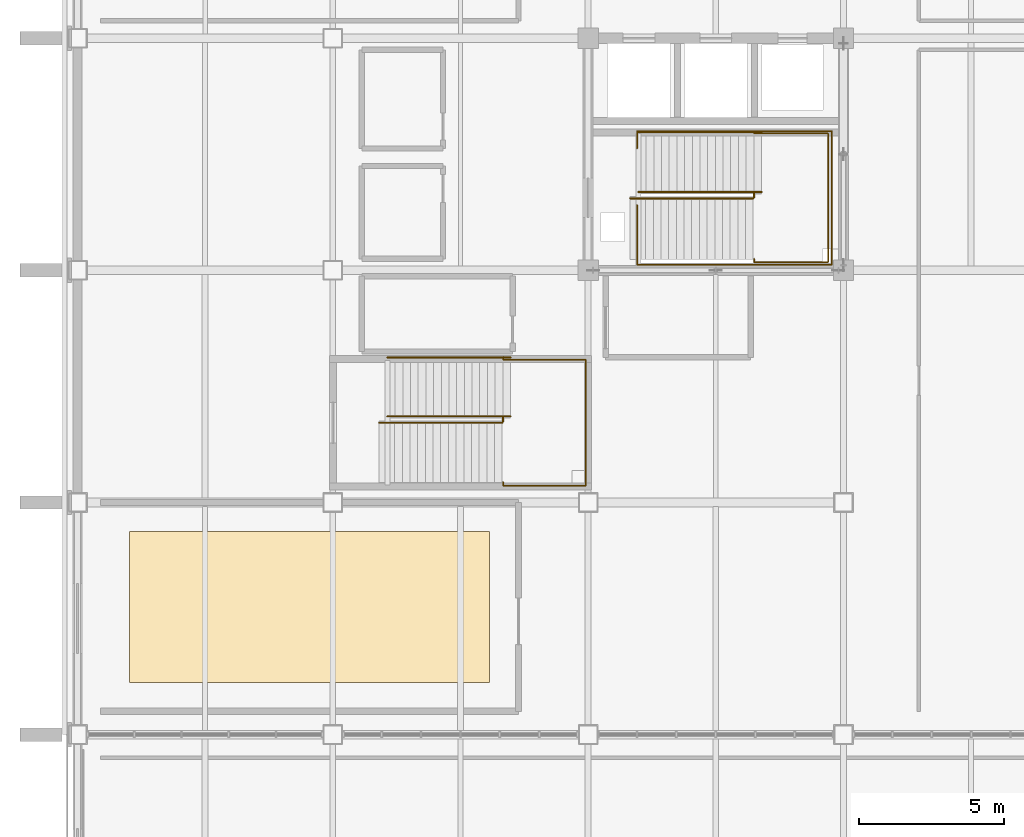
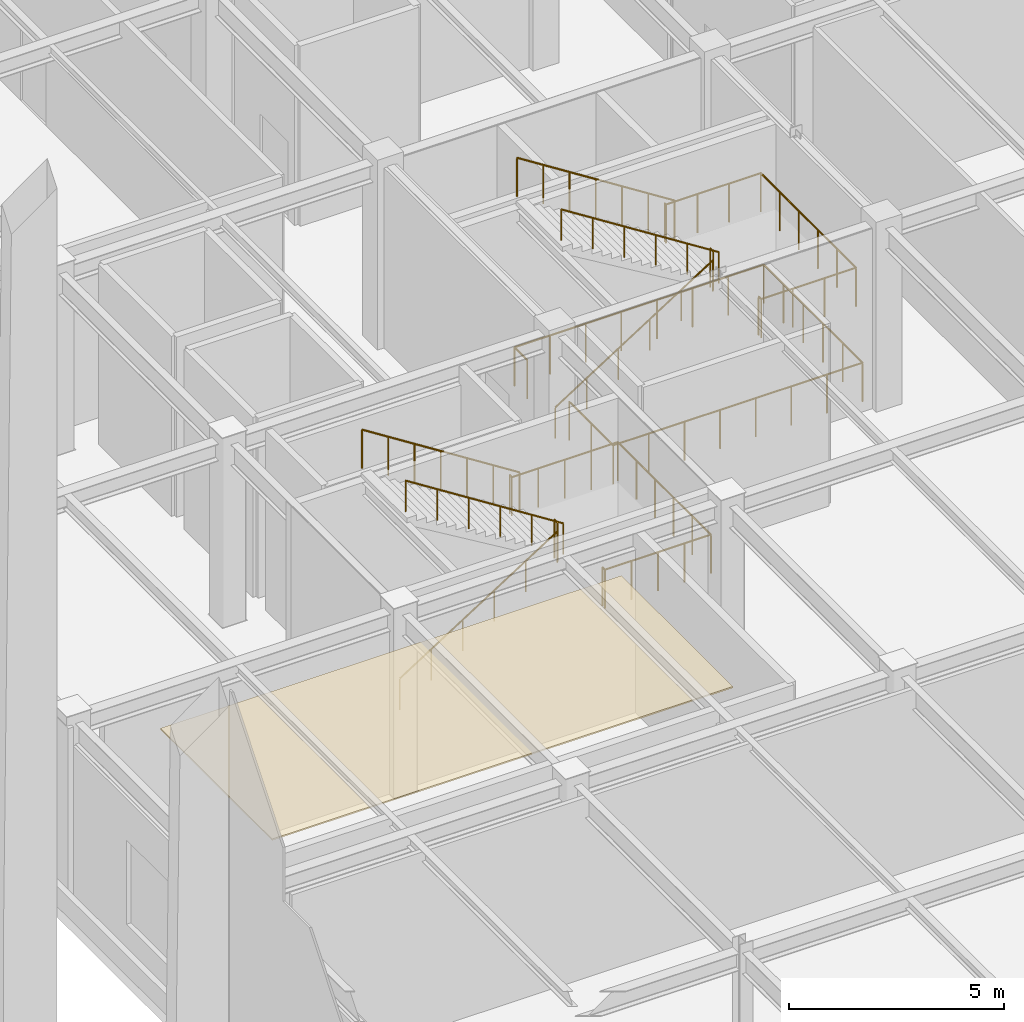
# One storey, part 103 of 119: 11 railings, 1 covering.
"""IFC4 building model written with IfcOpenShell, lengths in metres."""

from ifc_helpers import new_model, si_unit, direction, frame, origin, origin_2d, place, context, subcontext, project, spatial, rectangle, circle, extrude, material, layer, layer_set, type_object, element, save


model = new_model("IFC4")

# Units and contexts
model_context = context("Model", 3, precision=1e-05, world=origin(), true_north=direction((0.0, 1.0)))
body_context = subcontext(model_context, "Body", "Model", "MODEL_VIEW")
ifc_project = project(units=[si_unit("LENGTHUNIT", "METRE"), si_unit("AREAUNIT", "SQUARE_METRE"), si_unit("VOLUMEUNIT", "CUBIC_METRE"), si_unit("PLANEANGLEUNIT", "RADIAN"), si_unit("MASSUNIT", "GRAM", prefix="KILO")], contexts=[model_context])

# Site, building, storey
site_placement = place(None, origin())
site = spatial("IfcSite", under=ifc_project, at=site_placement, CompositionType="ELEMENT")
building_placement = place(site_placement, origin())
building = spatial("IfcBuilding", under=site, at=building_placement, Name="Zhaolan Boulevard Law Courts", CompositionType="ELEMENT")
storey_placement = place(building_placement, origin())
storey = spatial("IfcBuildingStorey", under=building, at=storey_placement, Name="L00", CompositionType="ELEMENT", Elevation=0.0)

# Covering
ifc_material_1 = material(Name="Perforated acoustic gypsum and timber-slat ceiling", Category="wood")
ifc_layer = layer(ifc_material_1, 0.0400390625)
ifc_layer_set = layer_set([ifc_layer])
covering_type = type_object("IfcCoveringType", Name="ACOUSTIC CEILING 40", PredefinedType="CEILING", material=ifc_layer_set)
covering_placement = place(storey_placement, frame((8.0, 34.39990234375, 4.7099609375), z_axis=(0.0, 0.0, 1.0), x_axis=(1.0, 0.0, 0.0)))
element("IfcCovering", 1, at=covering_placement, inside=storey, type_object=covering_type, Name="Acoustic Baffle Ceiling CLG-03", PredefinedType="CEILING", context=body_context, shape_type="SweptSolid", body=[
    extrude(rectangle(XDim=12.39990234375, YDim=5.199951171875, at=origin_2d()), origin(), (0.0, 0.0, 1.0), 0.0400390625),
])

# Railings
ifc_material_2 = material(Name="Brushed stainless steel tubular handrail", Category="steel")
railing_type_1 = type_object("IfcRailingType", Name="STAIR HANDRAIL 900", PredefinedType="HANDRAIL", material=ifc_material_2)
railing_1_placement = place(storey_placement, frame((19.050048828125, 48.47998046875, 0.0)))
element("IfcRailing", 2, at=railing_1_placement, inside=storey, type_object=railing_type_1, Name="Stair Handrail HR-ST01-L00-1", PredefinedType="HANDRAIL", context=body_context, shape_type="SweptSolid", body=[
    extrude(circle(Radius=0.0224609375, at=origin_2d()), frame((0.0, 0.0, 0.87744140625), z_axis=(0.843501457581, 0.0, 0.537126885437), x_axis=(0.0, 1.0, 0.0)), (0.0, 0.0, 1.0), 5.026611328125),
    extrude(circle(Radius=0.01904296875, at=origin_2d()), origin(), (0.0, 0.0, 1.0), 0.85498046875),
    extrude(circle(Radius=0.01904296875, at=origin_2d()), frame((0.847900390625, 0.0, 0.5400390625)), (0.0, 0.0, 1.0), 0.85498046875),
    extrude(circle(Radius=0.01904296875, at=origin_2d()), frame((1.696044921875, 0.0, 1.080078125)), (0.0, 0.0, 1.0), 0.85498046875),
    extrude(circle(Radius=0.01904296875, at=origin_2d()), frame((2.5439453125, 0.0, 1.619873046875)), (0.0, 0.0, 1.0), 0.85498046875),
    extrude(circle(Radius=0.01904296875, at=origin_2d()), frame((3.39208984375, 0.0, 2.159912109375)), (0.0, 0.0, 1.0), 0.85498046875),
    extrude(circle(Radius=0.01904296875, at=origin_2d()), frame((4.239990234375, 0.0, 2.699951171875)), (0.0, 0.0, 1.0), 0.85498046875),
])
railing_2_placement = place(storey_placement, frame((23.574951171875, 48.699951171875, 2.699951171875)))
element("IfcRailing", 3, at=railing_2_placement, inside=storey, type_object=railing_type_1, Name="Stair Handrail HR-ST01-L00-2", PredefinedType="HANDRAIL", context=body_context, shape_type="SweptSolid", body=[
    extrude(circle(Radius=0.0224609375, at=origin_2d()), frame((0.0, 0.0, 0.87744140625), z_axis=(-0.843501457581, 0.0, 0.537126885437), x_axis=(0.0, -1.0, 0.0)), (0.0, 0.0, 1.0), 5.026611328125),
    extrude(circle(Radius=0.01904296875, at=origin_2d()), origin(), (0.0, 0.0, 1.0), 0.85498046875),
    extrude(circle(Radius=0.01904296875, at=origin_2d()), frame((-0.847900390625, 0.0, 0.5400390625)), (0.0, 0.0, 1.0), 0.85498046875),
    extrude(circle(Radius=0.01904296875, at=origin_2d()), frame((-1.696044921875, 0.0, 1.080078125)), (0.0, 0.0, 1.0), 0.85498046875),
    extrude(circle(Radius=0.01904296875, at=origin_2d()), frame((-2.5439453125, 0.0, 1.619873046875)), (0.0, 0.0, 1.0), 0.85498046875),
    extrude(circle(Radius=0.01904296875, at=origin_2d()), frame((-3.39208984375, 0.0, 2.159912109375)), (0.0, 0.0, 1.0), 0.85498046875),
    extrude(circle(Radius=0.01904296875, at=origin_2d()), frame((-4.239990234375, 0.0, 2.699951171875)), (0.0, 0.0, 1.0), 0.85498046875),
])
railing_3_placement = place(storey_placement, frame((10.39990234375, 40.75, 0.0)))
element("IfcRailing", 4, at=railing_3_placement, inside=storey, type_object=railing_type_1, Name="Stair Handrail HR-ST03-L00-1", PredefinedType="HANDRAIL", context=body_context, shape_type="SweptSolid", body=[
    extrude(circle(Radius=0.0224609375, at=origin_2d()), frame((0.0, 0.0, 0.87744140625), z_axis=(0.843501457581, 0.0, 0.537126885437), x_axis=(0.0, 1.0, 0.0)), (0.0, 0.0, 1.0), 5.026611328125),
    extrude(circle(Radius=0.01904296875, at=origin_2d()), origin(), (0.0, 0.0, 1.0), 0.85498046875),
    extrude(circle(Radius=0.01904296875, at=origin_2d()), frame((0.847900390625, 0.0, 0.5400390625)), (0.0, 0.0, 1.0), 0.85498046875),
    extrude(circle(Radius=0.01904296875, at=origin_2d()), frame((1.696044921875, 0.0, 1.080078125)), (0.0, 0.0, 1.0), 0.85498046875),
    extrude(circle(Radius=0.01904296875, at=origin_2d()), frame((2.5439453125, 0.0, 1.619873046875)), (0.0, 0.0, 1.0), 0.85498046875),
    extrude(circle(Radius=0.01904296875, at=origin_2d()), frame((3.39208984375, 0.0, 2.159912109375)), (0.0, 0.0, 1.0), 0.85498046875),
    extrude(circle(Radius=0.01904296875, at=origin_2d()), frame((4.239990234375, 0.0, 2.699951171875)), (0.0, 0.0, 1.0), 0.85498046875),
])
railing_4_placement = place(storey_placement, frame((14.925048828125, 40.969970703125, 2.699951171875)))
element("IfcRailing", 5, at=railing_4_placement, inside=storey, type_object=railing_type_1, Name="Stair Handrail HR-ST03-L00-2", PredefinedType="HANDRAIL", context=body_context, shape_type="SweptSolid", body=[
    extrude(circle(Radius=0.0224609375, at=origin_2d()), frame((0.0, 0.0, 0.87744140625), z_axis=(-0.843501457581, 0.0, 0.537126885437), x_axis=(0.0, -1.0, 0.0)), (0.0, 0.0, 1.0), 5.026611328125),
    extrude(circle(Radius=0.01904296875, at=origin_2d()), origin(), (0.0, 0.0, 1.0), 0.85498046875),
    extrude(circle(Radius=0.01904296875, at=origin_2d()), frame((-0.847900390625, 0.0, 0.5400390625)), (0.0, 0.0, 1.0), 0.85498046875),
    extrude(circle(Radius=0.01904296875, at=origin_2d()), frame((-1.696044921875, 0.0, 1.080078125)), (0.0, 0.0, 1.0), 0.85498046875),
    extrude(circle(Radius=0.01904296875, at=origin_2d()), frame((-2.5439453125, 0.0, 1.619873046875)), (0.0, 0.0, 1.0), 0.85498046875),
    extrude(circle(Radius=0.01904296875, at=origin_2d()), frame((-3.39208984375, 0.0, 2.159912109375)), (0.0, 0.0, 1.0), 0.85498046875),
    extrude(circle(Radius=0.01904296875, at=origin_2d()), frame((-4.239990234375, 0.0, 2.699951171875)), (0.0, 0.0, 1.0), 0.85498046875),
])
ifc_material_3 = material(Name="Powder-coated steel baluster guardrail", Category="steel")
railing_type_2 = type_object("IfcRailingType", Name="STAIR WELL GUARDRAIL 1120", PredefinedType="GUARDRAIL", material=ifc_material_3)
railing_5_placement = place(storey_placement, frame((19.2900390625, 48.25, 0.0)))
element("IfcRailing", 6, at=railing_5_placement, inside=storey, type_object=railing_type_2, Name="Stair-Well Floor Guardrail WG-ST01-B1", PredefinedType="GUARDRAIL", context=body_context, shape_type="SweptSolid", body=[
    extrude(circle(Radius=0.02392578125, at=origin_2d()), frame((0.0, 0.0, 1.09619140625), z_axis=(0.0, -1.0, 0.0), x_axis=(1.0, 0.0, 0.0)), (0.0, 0.0, 1.0), 2.050048828125),
    extrude(circle(Radius=0.02392578125, at=origin_2d()), frame((0.0, -2.050048828125, 1.09619140625), z_axis=(1.0, 0.0, 0.0), x_axis=(0.0, 1.0, 0.0)), (0.0, 0.0, 1.0), 6.7099609375),
    extrude(circle(Radius=0.02392578125, at=origin_2d()), frame((6.7099609375, -2.050048828125, 1.09619140625), z_axis=(0.0, 1.0, 0.0), x_axis=(-1.0, 0.0, 0.0)), (0.0, 0.0, 1.0), 4.60009765625),
    extrude(circle(Radius=0.02392578125, at=origin_2d()), frame((6.7099609375, 2.550048828125, 1.09619140625), z_axis=(-1.0, 0.0, 0.0), x_axis=(0.0, -1.0, 0.0)), (0.0, 0.0, 1.0), 6.7099609375),
    extrude(circle(Radius=0.02392578125, at=origin_2d()), frame((0.0, 2.550048828125, 1.09619140625), z_axis=(0.0, -1.0, 0.0), x_axis=(1.0, 0.0, 0.0)), (0.0, 0.0, 1.0), 0.60009765625),
    extrude(circle(Radius=0.02099609375, at=origin_2d()), origin(), (0.0, 0.0, 1.0), 1.072021484375),
    extrude(circle(Radius=0.02099609375, at=origin_2d()), frame((0.0, -1.02490234375, 0.0)), (0.0, 0.0, 1.0), 1.072021484375),
    extrude(circle(Radius=0.02099609375, at=origin_2d()), frame((0.0, -2.050048828125, 0.0)), (0.0, 0.0, 1.0), 1.072021484375),
    extrude(circle(Radius=0.02099609375, at=origin_2d()), frame((0.95849609375, -2.050048828125, 0.0)), (0.0, 0.0, 1.0), 1.072021484375),
    extrude(circle(Radius=0.02099609375, at=origin_2d()), frame((1.917236328125, -2.050048828125, 0.0)), (0.0, 0.0, 1.0), 1.072021484375),
    extrude(circle(Radius=0.02099609375, at=origin_2d()), frame((2.875732421875, -2.050048828125, 0.0)), (0.0, 0.0, 1.0), 1.072021484375),
    extrude(circle(Radius=0.02099609375, at=origin_2d()), frame((3.834228515625, -2.050048828125, 0.0)), (0.0, 0.0, 1.0), 1.072021484375),
    extrude(circle(Radius=0.02099609375, at=origin_2d()), frame((4.792724609375, -2.050048828125, 0.0)), (0.0, 0.0, 1.0), 1.072021484375),
    extrude(circle(Radius=0.02099609375, at=origin_2d()), frame((5.75146484375, -2.050048828125, 0.0)), (0.0, 0.0, 1.0), 1.072021484375),
    extrude(circle(Radius=0.02099609375, at=origin_2d()), frame((6.7099609375, -2.050048828125, 0.0)), (0.0, 0.0, 1.0), 1.072021484375),
    extrude(circle(Radius=0.02099609375, at=origin_2d()), frame((6.7099609375, -1.130126953125, 0.0)), (0.0, 0.0, 1.0), 1.072021484375),
    extrude(circle(Radius=0.02099609375, at=origin_2d()), frame((6.7099609375, -0.2099609375, 0.0)), (0.0, 0.0, 1.0), 1.072021484375),
    extrude(circle(Radius=0.02099609375, at=origin_2d()), frame((6.7099609375, 0.7099609375, 0.0)), (0.0, 0.0, 1.0), 1.072021484375),
    extrude(circle(Radius=0.02099609375, at=origin_2d()), frame((6.7099609375, 1.630126953125, 0.0)), (0.0, 0.0, 1.0), 1.072021484375),
    extrude(circle(Radius=0.02099609375, at=origin_2d()), frame((6.7099609375, 2.550048828125, 0.0)), (0.0, 0.0, 1.0), 1.072021484375),
    extrude(circle(Radius=0.02099609375, at=origin_2d()), frame((5.75146484375, 2.550048828125, 0.0)), (0.0, 0.0, 1.0), 1.072021484375),
    extrude(circle(Radius=0.02099609375, at=origin_2d()), frame((4.792724609375, 2.550048828125, 0.0)), (0.0, 0.0, 1.0), 1.072021484375),
    extrude(circle(Radius=0.02099609375, at=origin_2d()), frame((3.834228515625, 2.550048828125, 0.0)), (0.0, 0.0, 1.0), 1.072021484375),
    extrude(circle(Radius=0.02099609375, at=origin_2d()), frame((2.875732421875, 2.550048828125, 0.0)), (0.0, 0.0, 1.0), 1.072021484375),
    extrude(circle(Radius=0.02099609375, at=origin_2d()), frame((1.917236328125, 2.550048828125, 0.0)), (0.0, 0.0, 1.0), 1.072021484375),
    extrude(circle(Radius=0.02099609375, at=origin_2d()), frame((0.95849609375, 2.550048828125, 0.0)), (0.0, 0.0, 1.0), 1.072021484375),
    extrude(circle(Radius=0.02099609375, at=origin_2d()), frame((0.0, 2.550048828125, 0.0)), (0.0, 0.0, 1.0), 1.072021484375),
    extrude(circle(Radius=0.02099609375, at=origin_2d()), frame((0.0, 1.949951171875, 0.0)), (0.0, 0.0, 1.0), 1.072021484375),
])
railing_6_placement = place(storey_placement, frame((23.320068359375, 46.39990234375, 2.699951171875)))
element("IfcRailing", 7, at=railing_6_placement, inside=storey, type_object=railing_type_2, Name="Half-Landing Guardrail SG-ST01-L00-M", PredefinedType="GUARDRAIL", context=body_context, shape_type="SweptSolid", body=[
    extrude(circle(Radius=0.02392578125, at=origin_2d()), frame((0.0, 0.0, 1.09619140625), z_axis=(0.0, -1.0, 0.0), x_axis=(1.0, 0.0, 0.0)), (0.0, 0.0, 1.0), 0.119873046875),
    extrude(circle(Radius=0.02392578125, at=origin_2d()), frame((0.0, -0.119873046875, 1.09619140625), z_axis=(1.0, 0.0, 0.0), x_axis=(0.0, 1.0, 0.0)), (0.0, 0.0, 1.0), 2.550048828125),
    extrude(circle(Radius=0.02392578125, at=origin_2d()), frame((2.550048828125, -0.119873046875, 1.09619140625), z_axis=(0.0, 1.0, 0.0), x_axis=(-1.0, 0.0, 0.0)), (0.0, 0.0, 1.0), 4.43994140625),
    extrude(circle(Radius=0.02392578125, at=origin_2d()), frame((2.550048828125, 4.320068359375, 1.09619140625), z_axis=(-1.0, 0.0, 0.0), x_axis=(0.0, -1.0, 0.0)), (0.0, 0.0, 1.0), 2.550048828125),
    extrude(circle(Radius=0.02392578125, at=origin_2d()), frame((0.0, 4.320068359375, 1.09619140625), z_axis=(0.0, 1.0, 0.0), x_axis=(-1.0, 0.0, 0.0)), (0.0, 0.0, 1.0), 0.06005859375),
    extrude(circle(Radius=0.02099609375, at=origin_2d()), origin(), (0.0, 0.0, 1.0), 1.072021484375),
    extrude(circle(Radius=0.02099609375, at=origin_2d()), frame((0.0, -0.119873046875, 0.0)), (0.0, 0.0, 1.0), 1.072021484375),
    extrude(circle(Radius=0.02099609375, at=origin_2d()), frame((0.85009765625, -0.119873046875, 0.0)), (0.0, 0.0, 1.0), 1.072021484375),
    extrude(circle(Radius=0.02099609375, at=origin_2d()), frame((1.699951171875, -0.119873046875, 0.0)), (0.0, 0.0, 1.0), 1.072021484375),
    extrude(circle(Radius=0.02099609375, at=origin_2d()), frame((2.550048828125, -0.119873046875, 0.0)), (0.0, 0.0, 1.0), 1.072021484375),
    extrude(circle(Radius=0.02099609375, at=origin_2d()), frame((2.550048828125, 0.76806640625, 0.0)), (0.0, 0.0, 1.0), 1.072021484375),
    extrude(circle(Radius=0.02099609375, at=origin_2d()), frame((2.550048828125, 1.656005859375, 0.0)), (0.0, 0.0, 1.0), 1.072021484375),
    extrude(circle(Radius=0.02099609375, at=origin_2d()), frame((2.550048828125, 2.544189453125, 0.0)), (0.0, 0.0, 1.0), 1.072021484375),
    extrude(circle(Radius=0.02099609375, at=origin_2d()), frame((2.550048828125, 3.43212890625, 0.0)), (0.0, 0.0, 1.0), 1.072021484375),
    extrude(circle(Radius=0.02099609375, at=origin_2d()), frame((2.550048828125, 4.320068359375, 0.0)), (0.0, 0.0, 1.0), 1.072021484375),
    extrude(circle(Radius=0.02099609375, at=origin_2d()), frame((1.699951171875, 4.320068359375, 0.0)), (0.0, 0.0, 1.0), 1.072021484375),
    extrude(circle(Radius=0.02099609375, at=origin_2d()), frame((0.85009765625, 4.320068359375, 0.0)), (0.0, 0.0, 1.0), 1.072021484375),
    extrude(circle(Radius=0.02099609375, at=origin_2d()), frame((0.0, 4.320068359375, 0.0)), (0.0, 0.0, 1.0), 1.072021484375),
    extrude(circle(Radius=0.02099609375, at=origin_2d()), frame((0.0, 4.380126953125, 0.0)), (0.0, 0.0, 1.0), 1.072021484375),
])
railing_7_placement = place(storey_placement, frame((23.320068359375, 48.52001953125, 2.699951171875)))
element("IfcRailing", 8, at=railing_7_placement, inside=storey, type_object=railing_type_2, Name="Half-Landing Well Guardrail SG-ST01-L00-W", PredefinedType="GUARDRAIL", context=body_context, shape_type="SweptSolid", body=[
    extrude(circle(Radius=0.02392578125, at=origin_2d()), frame((0.0, 0.0, 1.09619140625), z_axis=(0.0, 1.0, 0.0), x_axis=(-1.0, 0.0, 0.0)), (0.0, 0.0, 1.0), 0.139892578125),
    extrude(circle(Radius=0.02099609375, at=origin_2d()), origin(), (0.0, 0.0, 1.0), 1.072021484375),
    extrude(circle(Radius=0.02099609375, at=origin_2d()), frame((0.0, 0.139892578125, 0.0)), (0.0, 0.0, 1.0), 1.072021484375),
])
railing_8_placement = place(storey_placement, frame((23.574951171875, 50.760009765625, 2.699951171875)))
element("IfcRailing", 9, at=railing_8_placement, inside=storey, type_object=railing_type_2, Name="Flight Guardrail SG-ST01-L00-F2", PredefinedType="GUARDRAIL", context=body_context, shape_type="SweptSolid", body=[
    extrude(circle(Radius=0.02392578125, at=origin_2d()), frame((0.0, 0.0, 1.09619140625), z_axis=(-0.843501457581, 0.0, 0.537126885437), x_axis=(0.0, -1.0, 0.0)), (0.0, 0.0, 1.0), 5.026611328125),
    extrude(circle(Radius=0.02099609375, at=origin_2d()), origin(), (0.0, 0.0, 1.0), 1.072021484375),
    extrude(circle(Radius=0.02099609375, at=origin_2d()), frame((-0.70654296875, 0.0, 0.449951171875)), (0.0, 0.0, 1.0), 1.072021484375),
    extrude(circle(Radius=0.02099609375, at=origin_2d()), frame((-1.413330078125, 0.0, 0.89990234375)), (0.0, 0.0, 1.0), 1.072021484375),
    extrude(circle(Radius=0.02099609375, at=origin_2d()), frame((-2.1201171875, 0.0, 1.35009765625)), (0.0, 0.0, 1.0), 1.072021484375),
    extrude(circle(Radius=0.02099609375, at=origin_2d()), frame((-2.82666015625, 0.0, 1.800048828125)), (0.0, 0.0, 1.0), 1.072021484375),
    extrude(circle(Radius=0.02099609375, at=origin_2d()), frame((-3.533203125, 0.0, 2.25)), (0.0, 0.0, 1.0), 1.072021484375),
    extrude(circle(Radius=0.02099609375, at=origin_2d()), frame((-4.239990234375, 0.0, 2.699951171875)), (0.0, 0.0, 1.0), 1.072021484375),
])
railing_9_placement = place(storey_placement, frame((14.669921875, 38.699951171875, 2.699951171875)))
element("IfcRailing", 10, at=railing_9_placement, inside=storey, type_object=railing_type_2, Name="Half-Landing Guardrail SG-ST03-L00-M", PredefinedType="GUARDRAIL", context=body_context, shape_type="SweptSolid", body=[
    extrude(circle(Radius=0.02392578125, at=origin_2d()), frame((0.0, 0.0, 1.09619140625), z_axis=(0.0, -1.0, 0.0), x_axis=(1.0, 0.0, 0.0)), (0.0, 0.0, 1.0), 0.119873046875),
    extrude(circle(Radius=0.02392578125, at=origin_2d()), frame((0.0, -0.119873046875, 1.09619140625), z_axis=(1.0, 0.0, 0.0), x_axis=(0.0, 1.0, 0.0)), (0.0, 0.0, 1.0), 2.85009765625),
    extrude(circle(Radius=0.02392578125, at=origin_2d()), frame((2.85009765625, -0.119873046875, 1.09619140625), z_axis=(0.0, 1.0, 0.0), x_axis=(-1.0, 0.0, 0.0)), (0.0, 0.0, 1.0), 4.33984375),
    extrude(circle(Radius=0.02392578125, at=origin_2d()), frame((2.85009765625, 4.219970703125, 1.09619140625), z_axis=(-1.0, 0.0, 0.0), x_axis=(0.0, -1.0, 0.0)), (0.0, 0.0, 1.0), 2.85009765625),
    extrude(circle(Radius=0.02392578125, at=origin_2d()), frame((0.0, 4.219970703125, 1.09619140625), z_axis=(0.0, 1.0, 0.0), x_axis=(-1.0, 0.0, 0.0)), (0.0, 0.0, 1.0), 0.10009765625),
    extrude(circle(Radius=0.02099609375, at=origin_2d()), origin(), (0.0, 0.0, 1.0), 1.072021484375),
    extrude(circle(Radius=0.02099609375, at=origin_2d()), frame((0.0, -0.119873046875, 0.0)), (0.0, 0.0, 1.0), 1.072021484375),
    extrude(circle(Radius=0.02099609375, at=origin_2d()), frame((0.71240234375, -0.119873046875, 0.0)), (0.0, 0.0, 1.0), 1.072021484375),
    extrude(circle(Radius=0.02099609375, at=origin_2d()), frame((1.425048828125, -0.119873046875, 0.0)), (0.0, 0.0, 1.0), 1.072021484375),
    extrude(circle(Radius=0.02099609375, at=origin_2d()), frame((2.1376953125, -0.119873046875, 0.0)), (0.0, 0.0, 1.0), 1.072021484375),
    extrude(circle(Radius=0.02099609375, at=origin_2d()), frame((2.85009765625, -0.119873046875, 0.0)), (0.0, 0.0, 1.0), 1.072021484375),
    extrude(circle(Radius=0.02099609375, at=origin_2d()), frame((2.85009765625, 0.748046875, 0.0)), (0.0, 0.0, 1.0), 1.072021484375),
    extrude(circle(Radius=0.02099609375, at=origin_2d()), frame((2.85009765625, 1.615966796875, 0.0)), (0.0, 0.0, 1.0), 1.072021484375),
    extrude(circle(Radius=0.02099609375, at=origin_2d()), frame((2.85009765625, 2.484130859375, 0.0)), (0.0, 0.0, 1.0), 1.072021484375),
    extrude(circle(Radius=0.02099609375, at=origin_2d()), frame((2.85009765625, 3.35205078125, 0.0)), (0.0, 0.0, 1.0), 1.072021484375),
    extrude(circle(Radius=0.02099609375, at=origin_2d()), frame((2.85009765625, 4.219970703125, 0.0)), (0.0, 0.0, 1.0), 1.072021484375),
    extrude(circle(Radius=0.02099609375, at=origin_2d()), frame((2.1376953125, 4.219970703125, 0.0)), (0.0, 0.0, 1.0), 1.072021484375),
    extrude(circle(Radius=0.02099609375, at=origin_2d()), frame((1.425048828125, 4.219970703125, 0.0)), (0.0, 0.0, 1.0), 1.072021484375),
    extrude(circle(Radius=0.02099609375, at=origin_2d()), frame((0.71240234375, 4.219970703125, 0.0)), (0.0, 0.0, 1.0), 1.072021484375),
    extrude(circle(Radius=0.02099609375, at=origin_2d()), frame((0.0, 4.219970703125, 0.0)), (0.0, 0.0, 1.0), 1.072021484375),
    extrude(circle(Radius=0.02099609375, at=origin_2d()), frame((0.0, 4.320068359375, 0.0)), (0.0, 0.0, 1.0), 1.072021484375),
])
railing_10_placement = place(storey_placement, frame((14.669921875, 40.7900390625, 2.699951171875)))
element("IfcRailing", 11, at=railing_10_placement, inside=storey, type_object=railing_type_2, Name="Half-Landing Well Guardrail SG-ST03-L00-W", PredefinedType="GUARDRAIL", context=body_context, shape_type="SweptSolid", body=[
    extrude(circle(Radius=0.02392578125, at=origin_2d()), frame((0.0, 0.0, 1.09619140625), z_axis=(0.0, 1.0, 0.0), x_axis=(-1.0, 0.0, 0.0)), (0.0, 0.0, 1.0), 0.139892578125),
    extrude(circle(Radius=0.02099609375, at=origin_2d()), origin(), (0.0, 0.0, 1.0), 1.072021484375),
    extrude(circle(Radius=0.02099609375, at=origin_2d()), frame((0.0, 0.139892578125, 0.0)), (0.0, 0.0, 1.0), 1.072021484375),
])
railing_11_placement = place(storey_placement, frame((14.925048828125, 43.0, 2.699951171875)))
element("IfcRailing", 12, at=railing_11_placement, inside=storey, type_object=railing_type_2, Name="Flight Guardrail SG-ST03-L00-F2", PredefinedType="GUARDRAIL", context=body_context, shape_type="SweptSolid", body=[
    extrude(circle(Radius=0.02392578125, at=origin_2d()), frame((0.0, 0.0, 1.09619140625), z_axis=(-0.843501457581, 0.0, 0.537126885437), x_axis=(0.0, -1.0, 0.0)), (0.0, 0.0, 1.0), 5.026611328125),
    extrude(circle(Radius=0.02099609375, at=origin_2d()), origin(), (0.0, 0.0, 1.0), 1.072021484375),
    extrude(circle(Radius=0.02099609375, at=origin_2d()), frame((-0.70654296875, 0.0, 0.449951171875)), (0.0, 0.0, 1.0), 1.072021484375),
    extrude(circle(Radius=0.02099609375, at=origin_2d()), frame((-1.413330078125, 0.0, 0.89990234375)), (0.0, 0.0, 1.0), 1.072021484375),
    extrude(circle(Radius=0.02099609375, at=origin_2d()), frame((-2.1201171875, 0.0, 1.35009765625)), (0.0, 0.0, 1.0), 1.072021484375),
    extrude(circle(Radius=0.02099609375, at=origin_2d()), frame((-2.82666015625, 0.0, 1.800048828125)), (0.0, 0.0, 1.0), 1.072021484375),
    extrude(circle(Radius=0.02099609375, at=origin_2d()), frame((-3.533203125, 0.0, 2.25)), (0.0, 0.0, 1.0), 1.072021484375),
    extrude(circle(Radius=0.02099609375, at=origin_2d()), frame((-4.239990234375, 0.0, 2.699951171875)), (0.0, 0.0, 1.0), 1.072021484375),
])

save(model, "model.ifc")
